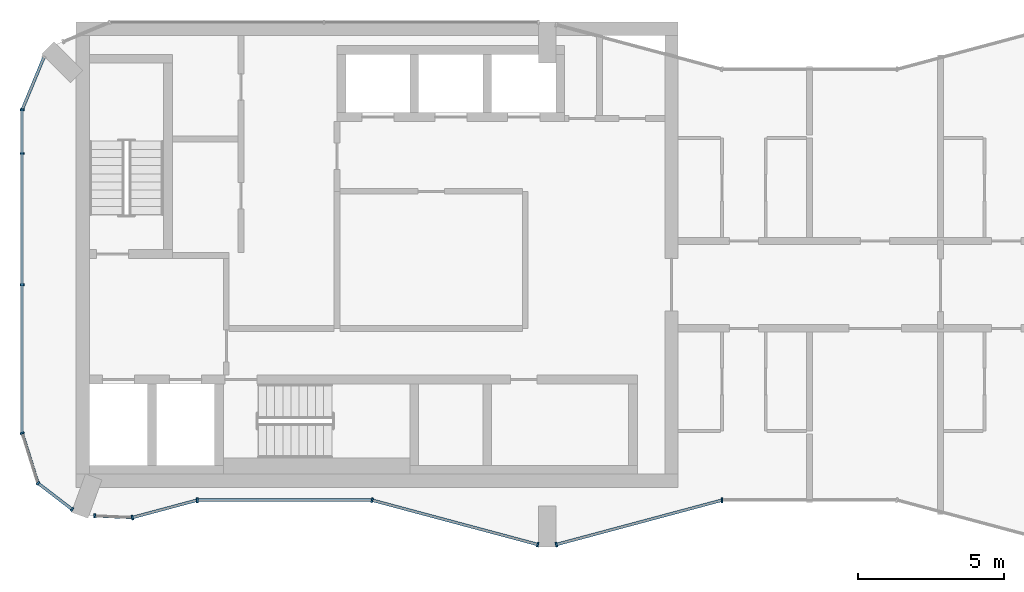
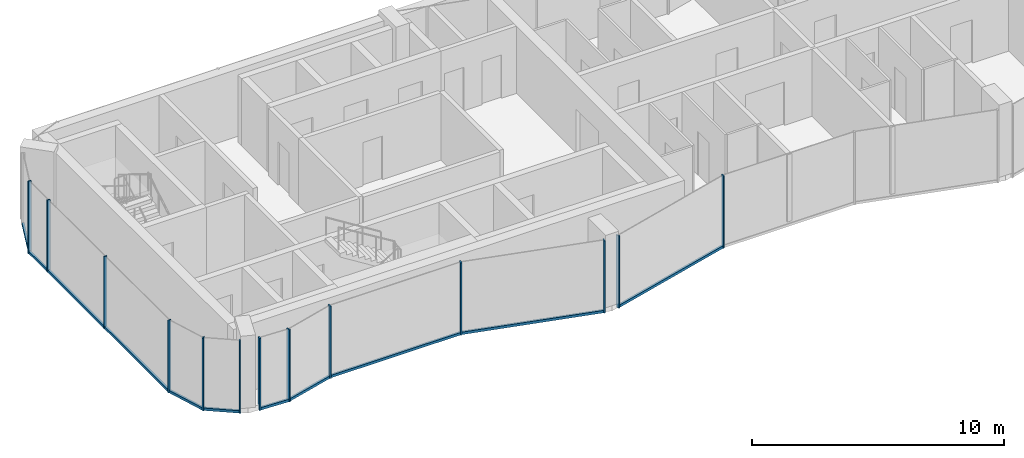
# One storey, part 2 of 10: 22 members, 10 elements without a shape of their own.
"""IFC4 building model written with IfcOpenShell, lengths in metres."""

from ifc_helpers import new_model, si_unit, direction, frame, origin, origin_2d, place, context, subcontext, project, spatial, rectangle, extrude, material, layer, layer_set, material_profile, profile_set, type_object, element, aggregate, save


model = new_model("IFC4")

# Units and contexts
model_context = context("Model", 3, precision=1e-05, world=origin(), true_north=direction((0.0, 1.0)))
body_context = subcontext(model_context, "Body", "Model", "MODEL_VIEW")
ifc_project = project(units=[si_unit("LENGTHUNIT", "METRE"), si_unit("AREAUNIT", "SQUARE_METRE"), si_unit("VOLUMEUNIT", "CUBIC_METRE"), si_unit("PLANEANGLEUNIT", "RADIAN"), si_unit("MASSUNIT", "GRAM", prefix="KILO")], contexts=[model_context])

# Site, building, storey
site_placement = place(None, origin())
site = spatial("IfcSite", under=ifc_project, at=site_placement, CompositionType="ELEMENT")
building_placement = place(site_placement, origin())
building = spatial("IfcBuilding", under=site, at=building_placement, Name="Plateau Cross Towers", CompositionType="ELEMENT")
storey_placement = place(building_placement, frame((0.0, 0.0, 256.39990234375)))
storey = spatial("IfcBuildingStorey", under=building, at=storey_placement, Name="L67", CompositionType="ELEMENT", Elevation=256.39990234375)

# Curtain wall, members
ifc_material_1 = material(Name="Dark low-iron glass", Category="glass")
ifc_layer_1 = layer(ifc_material_1, 0.239990234375)
ifc_layer_set_1 = layer_set([ifc_layer_1], Name="Dark low-iron glass")
curtain_wall_type_1 = type_object("IfcCurtainWallType", Name="Curtain wall flush unitised CW-B", PredefinedType="NOTDEFINED", material=ifc_layer_set_1)
curtain_wall_1_placement = place(storey_placement, origin())
curtain_wall_1 = element("IfcCurtainWall", 1, at=curtain_wall_1_placement, inside=storey, type_object=curtain_wall_type_1, Name="ENV/A/L67/A0_150", PredefinedType="NOTDEFINED")
ifc_material_2 = material(Name="Black anodised aluminium", Category="aluminium")
ifc_material_profile_1 = material_profile(ifc_material_2, rectangle(XDim=0.06005859375, YDim=0.139892578125, at=origin_2d()), Name="MULLION 60x140")
ifc_profile_set_1 = profile_set([ifc_material_profile_1], Name="Black anodised aluminium")
member_type_1 = type_object("IfcMemberType", Name="Mullion 60x140 flush unitised", PredefinedType="MULLION", material=ifc_profile_set_1)
member_1_placement = place(storey_placement, frame((0.0, 15.0, -0.25), z_axis=(0.0, 0.0, 1.0), x_axis=(0.0, -1.0, 0.0)))
member_1 = element("IfcMember", 2, at=member_1_placement, type_object=member_type_1, Name="CW-B mullion 1", PredefinedType="MULLION", context=body_context, shape_type="SweptSolid", body=[
    extrude(rectangle(XDim=0.06005859375, YDim=0.139892578125, at=origin_2d()), origin(), (0.0, 0.0, 1.0), 3.5),
])
member_2_placement = place(storey_placement, frame((0.0, 13.5, -0.25), z_axis=(0.0, 0.0, 1.0), x_axis=(0.0, -1.0, 0.0)))
member_2 = element("IfcMember", 3, at=member_2_placement, type_object=member_type_1, Name="CW-B mullion 2", PredefinedType="MULLION", context=body_context, shape_type="SweptSolid", body=[
    extrude(rectangle(XDim=0.06005859375, YDim=0.139892578125, at=origin_2d()), origin(), (0.0, 0.0, 1.0), 3.5),
])
member_3_placement = place(storey_placement, frame((0.0, 9.0, -0.25), z_axis=(0.0, 0.0, 1.0), x_axis=(0.0, -1.0, 0.0)))
member_3 = element("IfcMember", 4, at=member_3_placement, type_object=member_type_1, Name="CW-B mullion 3", PredefinedType="MULLION", context=body_context, shape_type="SweptSolid", body=[
    extrude(rectangle(XDim=0.06005859375, YDim=0.139892578125, at=origin_2d()), origin(), (0.0, 0.0, 1.0), 3.5),
])

# Curtain wall, member
curtain_wall_2_placement = place(storey_placement, origin())
curtain_wall_2 = element("IfcCurtainWall", 5, at=curtain_wall_2_placement, inside=storey, type_object=curtain_wall_type_1, Name="ENV/A/L67/A0_39", PredefinedType="NOTDEFINED")
member_4_placement = place(storey_placement, frame((0.0, 3.9091796875, -0.25), z_axis=(0.0, 0.0, 1.0), x_axis=(0.300686174994, -0.95372313811, 0.0)))
member_4 = element("IfcMember", 6, at=member_4_placement, type_object=member_type_1, Name="CW-B mullion 1", PredefinedType="MULLION", context=body_context, shape_type="SweptSolid", body=[
    extrude(rectangle(XDim=0.06005859375, YDim=0.139892578125, at=origin_2d()), origin(), (0.0, 0.0, 1.0), 3.5),
])

# Curtain wall, members
curtain_wall_3_placement = place(storey_placement, origin())
curtain_wall_3 = element("IfcCurtainWall", 7, at=curtain_wall_3_placement, inside=storey, type_object=curtain_wall_type_1, Name="ENV/A/L67/A5_22", PredefinedType="NOTDEFINED")
member_5_placement = place(storey_placement, frame((0.54248046875, 2.1884765625, -0.25), z_axis=(0.0, 0.0, 1.0), x_axis=(0.793315514529, -0.608810721331, 0.0)))
member_5 = element("IfcMember", 8, at=member_5_placement, type_object=member_type_1, Name="CW-B mullion 1", PredefinedType="MULLION", context=body_context, shape_type="SweptSolid", body=[
    extrude(rectangle(XDim=0.06005859375, YDim=0.139892578125, at=origin_2d()), origin(), (0.0, 0.0, 1.0), 3.5),
])
member_6_placement = place(storey_placement, frame((1.709716796875, 1.292724609375, -0.25), z_axis=(0.0, 0.0, 1.0), x_axis=(0.793315514529, -0.608810721331, 0.0)))
member_6 = element("IfcMember", 9, at=member_6_placement, type_object=member_type_1, Name="CW-B mullion 2", PredefinedType="MULLION", context=body_context, shape_type="SweptSolid", body=[
    extrude(rectangle(XDim=0.06005859375, YDim=0.139892578125, at=origin_2d()), origin(), (0.0, 0.0, 1.0), 3.5),
])

# Curtain wall, member
curtain_wall_4_placement = place(storey_placement, origin())
curtain_wall_4 = element("IfcCurtainWall", 10, at=curtain_wall_4_placement, inside=storey, type_object=curtain_wall_type_1, Name="ENV/A/L67/A25_11", PredefinedType="NOTDEFINED")
member_7_placement = place(storey_placement, frame((2.483642578125, 1.06787109375, -0.25), z_axis=(0.0, 0.0, 1.0), x_axis=(0.999043701491, -0.043722791671, 0.0)))
member_7 = element("IfcMember", 11, at=member_7_placement, type_object=member_type_1, Name="CW-B mullion 1", PredefinedType="MULLION", context=body_context, shape_type="SweptSolid", body=[
    extrude(rectangle(XDim=0.06005859375, YDim=0.139892578125, at=origin_2d()), origin(), (0.0, 0.0, 1.0), 3.5),
])

ifc_layer_2 = layer(ifc_material_1, 0.260009765625)
ifc_layer_set_2 = layer_set([ifc_layer_2], Name="Dark low-iron glass")
curtain_wall_type_2 = type_object("IfcCurtainWallType", Name="Curtain wall fluted unitised CW-A", PredefinedType="NOTDEFINED", material=ifc_layer_set_2)
curtain_wall_5_placement = place(storey_placement, origin())
curtain_wall_5 = element("IfcCurtainWall", 12, at=curtain_wall_5_placement, inside=storey, type_object=curtain_wall_type_2, Name="ENV/A/L67/A38_10", PredefinedType="NOTDEFINED")
ifc_material_profile_2 = material_profile(ifc_material_2, rectangle(XDim=0.06005859375, YDim=0.159912109375, at=origin_2d()), Name="MULLION 60x160")
ifc_profile_set_2 = profile_set([ifc_material_profile_2], Name="Black anodised aluminium")
member_type_2 = type_object("IfcMemberType", Name="Mullion 60x160 fluted unitised", PredefinedType="MULLION", material=ifc_profile_set_2)
member_8_placement = place(storey_placement, frame((3.776123046875, 1.01123046875, -0.25), z_axis=(0.0, 0.0, 1.0), x_axis=(0.965957962328, 0.258699081978, 0.0)))
member_8 = element("IfcMember", 13, at=member_8_placement, type_object=member_type_2, Name="CW-A mullion 1", PredefinedType="MULLION", context=body_context, shape_type="SweptSolid", body=[
    extrude(rectangle(XDim=0.06005859375, YDim=0.159912109375, at=origin_2d()), origin(), (0.0, 0.0, 1.0), 3.5),
])

curtain_wall_6_placement = place(storey_placement, origin())
curtain_wall_6 = element("IfcCurtainWall", 14, at=curtain_wall_6_placement, inside=storey, type_object=curtain_wall_type_2, Name="ENV/A/L67/A60_16", PredefinedType="NOTDEFINED")
member_9_placement = place(storey_placement, frame((6.0, 1.60693359375, -0.25), z_axis=(0.0, 0.0, 1.0), x_axis=(1.0, 0.0, 0.0)))
member_9 = element("IfcMember", 15, at=member_9_placement, type_object=member_type_2, Name="CW-A mullion 1", PredefinedType="MULLION", context=body_context, shape_type="SweptSolid", body=[
    extrude(rectangle(XDim=0.06005859375, YDim=0.159912109375, at=origin_2d()), origin(), (0.0, 0.0, 1.0), 3.5),
])

# Curtain wall, members
curtain_wall_7_placement = place(storey_placement, origin())
curtain_wall_7 = element("IfcCurtainWall", 16, at=curtain_wall_7_placement, inside=storey, type_object=curtain_wall_type_2, Name="ENV/A/L67/A120_16", PredefinedType="NOTDEFINED")
member_10_placement = place(storey_placement, frame((12.0, 1.60693359375, -0.25), z_axis=(0.0, 0.0, 1.0), x_axis=(0.965957983404, -0.258699003279, 0.0)))
member_10 = element("IfcMember", 17, at=member_10_placement, type_object=member_type_2, Name="CW-A mullion 1", PredefinedType="MULLION", context=body_context, shape_type="SweptSolid", body=[
    extrude(rectangle(XDim=0.06005859375, YDim=0.159912109375, at=origin_2d()), origin(), (0.0, 0.0, 1.0), 3.5),
])
member_11_placement = place(storey_placement, frame((17.68212890625, 0.085205078125, -0.25), z_axis=(0.0, 0.0, 1.0), x_axis=(0.965957983404, -0.258699003279, 0.0)))
member_11 = element("IfcMember", 18, at=member_11_placement, type_object=member_type_2, Name="CW-A mullion 2", PredefinedType="MULLION", context=body_context, shape_type="SweptSolid", body=[
    extrude(rectangle(XDim=0.06005859375, YDim=0.159912109375, at=origin_2d()), origin(), (0.0, 0.0, 1.0), 3.5),
])

# Curtain wall, member
curtain_wall_8_placement = place(storey_placement, origin())
curtain_wall_8 = element("IfcCurtainWall", 19, at=curtain_wall_8_placement, inside=storey, type_object=curtain_wall_type_2, Name="ENV/A/L67/A183_1", PredefinedType="NOTDEFINED")
member_12_placement = place(storey_placement, frame((18.31787109375, 0.085205078125, -0.25), z_axis=(0.0, 0.0, 1.0), x_axis=(0.965957983404, 0.258699003279, 0.0)))
member_12 = element("IfcMember", 20, at=member_12_placement, type_object=member_type_2, Name="CW-A mullion 1", PredefinedType="MULLION", context=body_context, shape_type="SweptSolid", body=[
    extrude(rectangle(XDim=0.06005859375, YDim=0.159912109375, at=origin_2d()), origin(), (0.0, 0.0, 1.0), 3.5),
])

curtain_wall_9_placement = place(storey_placement, origin())
curtain_wall_9 = element("IfcCurtainWall", 21, at=curtain_wall_9_placement, inside=storey, type_object=curtain_wall_type_2, Name="ENV/A/L67/A240_16", PredefinedType="NOTDEFINED")
member_13_placement = place(storey_placement, frame((24.0, 1.60693359375, -0.25), z_axis=(0.0, 0.0, 1.0), x_axis=(1.0, 0.0, 0.0)))
member_13 = element("IfcMember", 22, at=member_13_placement, type_object=member_type_2, Name="CW-A mullion 1", PredefinedType="MULLION", context=body_context, shape_type="SweptSolid", body=[
    extrude(rectangle(XDim=0.06005859375, YDim=0.159912109375, at=origin_2d()), origin(), (0.0, 0.0, 1.0), 3.5),
])
aggregate(curtain_wall_9, [member_13])

curtain_wall_10_placement = place(storey_placement, origin())
curtain_wall_10 = element("IfcCurtainWall", 23, at=curtain_wall_10_placement, inside=storey, type_object=curtain_wall_type_1, Name="ENV/A/L67/A7_168", PredefinedType="NOTDEFINED")
ifc_material_profile_3 = material_profile(ifc_material_2, rectangle(XDim=0.10009765625, YDim=0.1201171875, at=origin_2d()), Name="TRANSOM 100x120")
ifc_profile_set_3 = profile_set([ifc_material_profile_3], Name="Black anodised aluminium")
member_type_3 = type_object("IfcMemberType", Name="Transom 100x120 flush unitised", PredefinedType="USERDEFINED", material=ifc_profile_set_3)
member_14_placement = place(storey_placement, frame((0.748046875, 16.805908203125, -0.18994140625), z_axis=(-0.382690071798, -0.92387678234, 0.0), x_axis=(0.92387678234, -0.382690071798, 0.0)))
member_14 = element("IfcMember", 24, at=member_14_placement, type_object=member_type_3, Name="CW-B transom", ObjectType="TRANSOM", PredefinedType="USERDEFINED", context=body_context, shape_type="SweptSolid", body=[
    extrude(rectangle(XDim=0.10009765625, YDim=0.1201171875, at=origin_2d()), origin(), (0.0, 0.0, 1.0), 1.95458984375),
])
aggregate(curtain_wall_10, [member_14])

# Member
member_15_placement = place(storey_placement, frame((0.0, 15.0, -0.18994140625), z_axis=(0.0, -1.0, 0.0), x_axis=(1.0, 0.0, 0.0)))
member_15 = element("IfcMember", 25, at=member_15_placement, type_object=member_type_3, Name="CW-B transom", ObjectType="TRANSOM", PredefinedType="USERDEFINED", context=body_context, shape_type="SweptSolid", body=[
    extrude(rectangle(XDim=0.10009765625, YDim=0.1201171875, at=origin_2d()), origin(), (0.0, 0.0, 1.0), 11.0908203125),
])

aggregate(curtain_wall_1, [member_1, member_2, member_3, member_15])

member_16_placement = place(storey_placement, frame((0.0, 3.9091796875, -0.18994140625), z_axis=(0.30067799945, -0.953725715626, 0.0), x_axis=(0.953725715626, 0.30067799945, 0.0)))
member_16 = element("IfcMember", 26, at=member_16_placement, type_object=member_type_3, Name="CW-B transom", ObjectType="TRANSOM", PredefinedType="USERDEFINED", context=body_context, shape_type="SweptSolid", body=[
    extrude(rectangle(XDim=0.10009765625, YDim=0.1201171875, at=origin_2d()), origin(), (0.0, 0.0, 1.0), 1.80419921875),
])

aggregate(curtain_wall_2, [member_4, member_16])

member_17_placement = place(storey_placement, frame((0.54248046875, 2.1884765625, -0.18994140625), z_axis=(0.793320508571, -0.608804213751, 0.0), x_axis=(0.608804213751, 0.793320508571, 0.0)))
member_17 = element("IfcMember", 27, at=member_17_placement, type_object=member_type_3, Name="CW-B transom", ObjectType="TRANSOM", PredefinedType="USERDEFINED", context=body_context, shape_type="SweptSolid", body=[
    extrude(rectangle(XDim=0.10009765625, YDim=0.1201171875, at=origin_2d()), origin(), (0.0, 0.0, 1.0), 1.471435546875),
])

aggregate(curtain_wall_3, [member_5, member_6, member_17])

member_18_placement = place(storey_placement, frame((2.483642578125, 1.06787109375, -0.18994140625), z_axis=(0.999041144614, -0.043781175963, 0.0), x_axis=(0.043781175963, 0.999041144614, 0.0)))
member_18 = element("IfcMember", 28, at=member_18_placement, type_object=member_type_3, Name="CW-B transom", ObjectType="TRANSOM", PredefinedType="USERDEFINED", context=body_context, shape_type="SweptSolid", body=[
    extrude(rectangle(XDim=0.10009765625, YDim=0.1201171875, at=origin_2d()), origin(), (0.0, 0.0, 1.0), 1.293701171875),
])

aggregate(curtain_wall_4, [member_7, member_18])

ifc_material_profile_4 = material_profile(ifc_material_2, rectangle(XDim=0.10009765625, YDim=0.1201171875, at=origin_2d()), Name="TRANSOM 100x120")
ifc_profile_set_4 = profile_set([ifc_material_profile_4], Name="Black anodised aluminium")
member_type_4 = type_object("IfcMemberType", Name="Transom 100x120 fluted unitised", PredefinedType="USERDEFINED", material=ifc_profile_set_4)
member_19_placement = place(storey_placement, frame((3.776123046875, 1.01123046875, -0.18994140625), z_axis=(0.965945685136, 0.258744919501, 0.0), x_axis=(-0.258744919501, 0.965945685136, 0.0)))
member_19 = element("IfcMember", 29, at=member_19_placement, type_object=member_type_4, Name="CW-A transom", ObjectType="TRANSOM", PredefinedType="USERDEFINED", context=body_context, shape_type="SweptSolid", body=[
    extrude(rectangle(XDim=0.10009765625, YDim=0.1201171875, at=origin_2d()), origin(), (0.0, 0.0, 1.0), 2.30224609375),
])

aggregate(curtain_wall_5, [member_8, member_19])

member_20_placement = place(storey_placement, frame((6.0, 1.60693359375, -0.18994140625), z_axis=(1.0, 0.0, 0.0), x_axis=(0.0, 1.0, 0.0)))
member_20 = element("IfcMember", 30, at=member_20_placement, type_object=member_type_4, Name="CW-A transom", ObjectType="TRANSOM", PredefinedType="USERDEFINED", context=body_context, shape_type="SweptSolid", body=[
    extrude(rectangle(XDim=0.10009765625, YDim=0.1201171875, at=origin_2d()), origin(), (0.0, 0.0, 1.0), 6.0),
])

aggregate(curtain_wall_6, [member_9, member_20])

member_21_placement = place(storey_placement, frame((12.0, 1.60693359375, -0.18994140625), z_axis=(0.965959534794, -0.258693210465, 0.0), x_axis=(0.258693210465, 0.965959534794, 0.0)))
member_21 = element("IfcMember", 31, at=member_21_placement, type_object=member_type_4, Name="CW-A transom", ObjectType="TRANSOM", PredefinedType="USERDEFINED", context=body_context, shape_type="SweptSolid", body=[
    extrude(rectangle(XDim=0.10009765625, YDim=0.1201171875, at=origin_2d()), origin(), (0.0, 0.0, 1.0), 5.88232421875),
])

aggregate(curtain_wall_7, [member_10, member_11, member_21])

member_22_placement = place(storey_placement, frame((18.31787109375, 0.085205078125, -0.18994140625), z_axis=(0.965959534794, 0.258693210465, 0.0), x_axis=(-0.258693210465, 0.965959534794, 0.0)))
member_22 = element("IfcMember", 32, at=member_22_placement, type_object=member_type_4, Name="CW-A transom", ObjectType="TRANSOM", PredefinedType="USERDEFINED", context=body_context, shape_type="SweptSolid", body=[
    extrude(rectangle(XDim=0.10009765625, YDim=0.1201171875, at=origin_2d()), origin(), (0.0, 0.0, 1.0), 5.88232421875),
])

aggregate(curtain_wall_8, [member_12, member_22])

save(model, "model.ifc")
